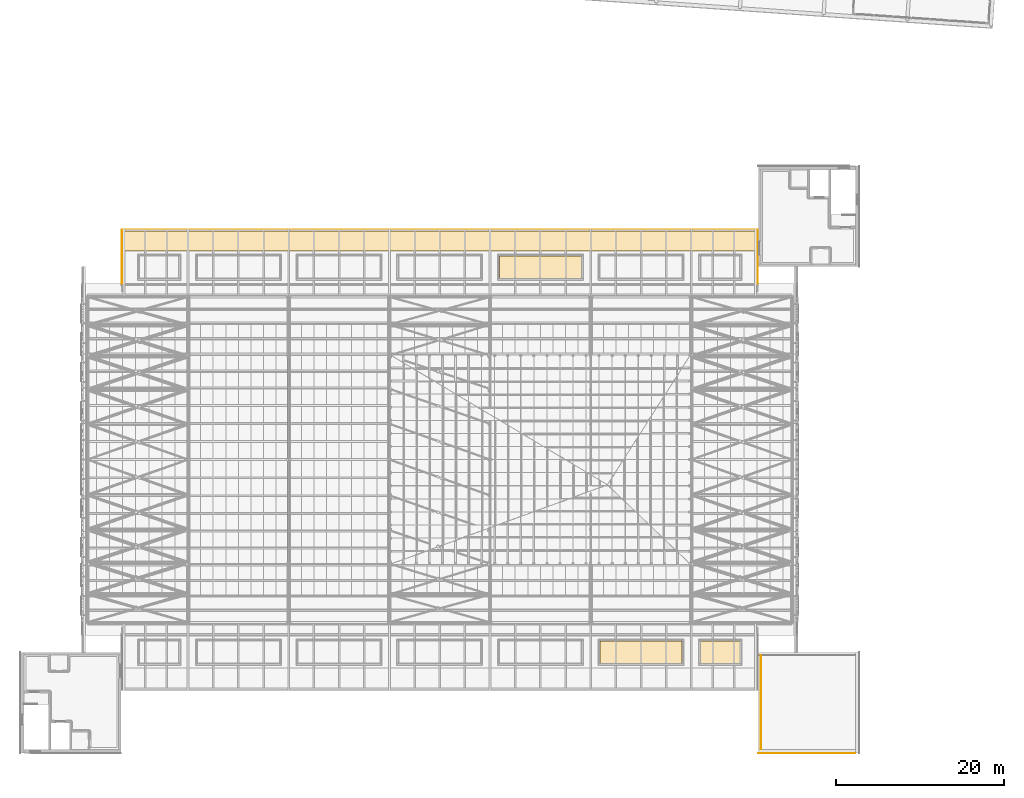
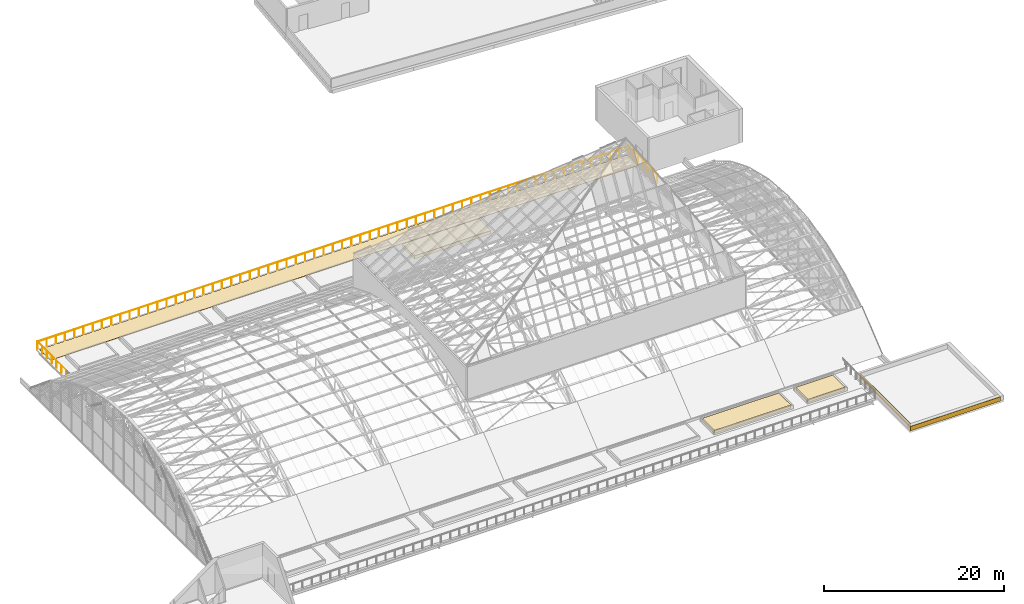
# One storey, part 106 of 110: 6 coverings, 1 railing.
"""IFC4 building model written with IfcOpenShell, lengths in metres."""

from ifc_helpers import new_model, si_unit, direction, frame, origin, origin_2d, place, context, subcontext, project, spatial, polyline, circle, outline, extrude, material, layer, layer_set, type_object, element, save


model = new_model("IFC4")

# Units and contexts
model_context = context("Model", 3, precision=1e-05, world=origin(), true_north=direction((0.0, 1.0)))
body_context = subcontext(model_context, "Body", "Model", "MODEL_VIEW")
ifc_project = project(units=[si_unit("LENGTHUNIT", "METRE"), si_unit("AREAUNIT", "SQUARE_METRE"), si_unit("VOLUMEUNIT", "CUBIC_METRE"), si_unit("PLANEANGLEUNIT", "RADIAN"), si_unit("MASSUNIT", "GRAM", prefix="KILO")], contexts=[model_context])

# Site, building, storey
site_placement = place(None, origin())
site = spatial("IfcSite", under=ifc_project, at=site_placement, CompositionType="ELEMENT")
building_placement = place(site_placement, origin())
building = spatial("IfcBuilding", under=site, at=building_placement, Name="Windward Yard Aquatics Centre", CompositionType="ELEMENT")
storey_placement = place(building_placement, frame((0.0, 0.0, 22.60009765625)))
storey = spatial("IfcBuildingStorey", under=building, at=storey_placement, Name="L05", CompositionType="ELEMENT", Elevation=22.60009765625)

# Coverings
ifc_material_1 = material(Name="Natural limestone cladding", Category="masonry")
ifc_layer_1 = layer(ifc_material_1, 0.0400390625)
ifc_layer_set_1 = layer_set([ifc_layer_1], Name="H natural stone cladding 40")
covering_type_1 = type_object("IfcCoveringType", Name="H natural stone cladding 40", PredefinedType="CLADDING", material=ifc_layer_set_1)
covering_1_placement = place(storey_placement, frame((0.0, 0.0, 0.25)))
element("IfcCovering", 1, at=covering_1_placement, inside=storey, type_object=covering_type_1, Name="Stone cladding panel 10", PredefinedType="CLADDING", context=body_context, shape_type="SweptSolid", body=[
    extrude(outline(polyline([(140.0, 25.9599609375), (151.550048828125, 25.9599609375), (151.550048828125, 26.0), (140.0, 26.0), (140.0, 25.9599609375)])), origin(), (0.0, 0.0, 1.0), 0.599853515625),
])
covering_2_placement = place(storey_placement, frame((0.0, 0.0, 0.25)))
element("IfcCovering", 2, at=covering_2_placement, inside=storey, type_object=covering_type_1, Name="Stone cladding panel 11", PredefinedType="CLADDING", context=body_context, shape_type="SweptSolid", body=[
    extrude(outline(polyline([(140.300048828125, 26.449951171875), (140.300048828125, 37.699951171875), (140.340087890625, 37.699951171875), (140.340087890625, 26.449951171875), (140.300048828125, 26.449951171875)])), origin(), (0.0, 0.0, 1.0), 0.599853515625),
])
ifc_material_2 = material(Name="Planting soil")
ifc_layer_2 = layer(ifc_material_2, 0.398, Name="Planting")
ifc_material_3 = material(Name="Filter fabric")
ifc_layer_3 = layer(ifc_material_3, 0.002, Name="Filter")
ifc_material_4 = material(Name="Drainage board")
ifc_layer_4 = layer(ifc_material_4, 0.05, Name="Drainage")
ifc_layer_set_2 = layer_set([ifc_layer_2, ifc_layer_3, ifc_layer_4], Name="H planting bed 450")
covering_type_2 = type_object("IfcCoveringType", Name="H planting bed 450", PredefinedType="USERDEFINED", material=ifc_layer_set_2)
covering_3_placement = place(storey_placement, origin())
element("IfcCovering", 3, at=covering_3_placement, inside=storey, type_object=covering_type_2, Name="Planting bed T2 S6", ObjectType="PLANTING BED", PredefinedType="USERDEFINED", context=body_context, shape_type="SweptSolid", body=[
    extrude(outline(polyline([(121.10009765625, 36.699951171875), (130.89990234375, 36.699951171875), (130.89990234375, 39.39990234375), (121.10009765625, 39.39990234375), (121.10009765625, 36.699951171875)])), origin(), (0.0, 0.0, 1.0), 0.449951171875),
])
covering_4_placement = place(storey_placement, origin())
element("IfcCovering", 4, at=covering_4_placement, inside=storey, type_object=covering_type_2, Name="Planting bed T2 S7", ObjectType="PLANTING BED", PredefinedType="USERDEFINED", context=body_context, shape_type="SweptSolid", body=[
    extrude(outline(polyline([(133.10009765625, 36.699951171875), (137.800048828125, 36.699951171875), (137.800048828125, 39.39990234375), (133.10009765625, 39.39990234375), (133.10009765625, 36.699951171875)])), origin(), (0.0, 0.0, 1.0), 0.449951171875),
])
covering_5_placement = place(storey_placement, origin())
element("IfcCovering", 5, at=covering_5_placement, inside=storey, type_object=covering_type_2, Name="Planting bed T2 N5", ObjectType="PLANTING BED", PredefinedType="USERDEFINED", context=body_context, shape_type="SweptSolid", body=[
    extrude(outline(polyline([(109.10009765625, 82.60009765625), (118.89990234375, 82.60009765625), (118.89990234375, 85.300048828125), (109.10009765625, 85.300048828125), (109.10009765625, 82.60009765625)])), origin(), (0.0, 0.0, 1.0), 0.449951171875),
])

# Railing
ifc_material_5 = material(Name="Stainless steel 1.4401 with toughened laminated glass infill", Category="steel")
railing_type = type_object("IfcRailingType", Name="H terrace guard 1100", PredefinedType="GUARDRAIL", material=ifc_material_5)
railing_placement = place(storey_placement, frame((64.10009765625, 82.013427734375, 0.0)))
element("IfcRailing", 6, at=railing_placement, inside=storey, type_object=railing_type, Name="Terrace 2 guard N", PredefinedType="GUARDRAIL", context=body_context, shape_type="SweptSolid", body=[
    extrude(circle(Radius=0.02392578125, at=origin_2d()), frame((0.0, 0.0, 1.076171875), z_axis=(0.0, 1.0, 0.0), x_axis=(-1.0, 0.0, 0.0)), (0.0, 0.0, 1.0), 6.386474609375),
    extrude(circle(Radius=0.02392578125, at=origin_2d()), frame((0.0, 6.386474609375, 1.076171875), z_axis=(1.0, 0.0, 0.0), x_axis=(0.0, 1.0, 0.0)), (0.0, 0.0, 1.0), 75.7998046875),
    extrude(circle(Radius=0.02392578125, at=origin_2d()), frame((75.7998046875, 6.386474609375, 1.076171875), z_axis=(0.0, -1.0, 0.0), x_axis=(1.0, 0.0, 0.0)), (0.0, 0.0, 1.0), 6.386474609375),
    extrude(circle(Radius=0.02099609375, at=origin_2d()), origin(), (0.0, 0.0, 1.0), 1.052001953125),
    extrude(circle(Radius=0.02099609375, at=origin_2d()), frame((0.0, 1.064453125, 0.0)), (0.0, 0.0, 1.0), 1.052001953125),
    extrude(circle(Radius=0.02099609375, at=origin_2d()), frame((0.0, 2.12890625, 0.0)), (0.0, 0.0, 1.0), 1.052001953125),
    extrude(circle(Radius=0.02099609375, at=origin_2d()), frame((0.0, 3.193359375, 0.0)), (0.0, 0.0, 1.0), 1.052001953125),
    extrude(circle(Radius=0.02099609375, at=origin_2d()), frame((0.0, 4.257568359375, 0.0)), (0.0, 0.0, 1.0), 1.052001953125),
    extrude(circle(Radius=0.02099609375, at=origin_2d()), frame((0.0, 5.322021484375, 0.0)), (0.0, 0.0, 1.0), 1.052001953125),
    extrude(circle(Radius=0.02099609375, at=origin_2d()), frame((0.0, 6.386474609375, 0.0)), (0.0, 0.0, 1.0), 1.052001953125),
    extrude(circle(Radius=0.02099609375, at=origin_2d()), frame((1.184326171875, 6.386474609375, 0.0)), (0.0, 0.0, 1.0), 1.052001953125),
    extrude(circle(Radius=0.02099609375, at=origin_2d()), frame((2.36865234375, 6.386474609375, 0.0)), (0.0, 0.0, 1.0), 1.052001953125),
    extrude(circle(Radius=0.02099609375, at=origin_2d()), frame((3.55322265625, 6.386474609375, 0.0)), (0.0, 0.0, 1.0), 1.052001953125),
    extrude(circle(Radius=0.02099609375, at=origin_2d()), frame((4.737548828125, 6.386474609375, 0.0)), (0.0, 0.0, 1.0), 1.052001953125),
    extrude(circle(Radius=0.02099609375, at=origin_2d()), frame((5.921875, 6.386474609375, 0.0)), (0.0, 0.0, 1.0), 1.052001953125),
    extrude(circle(Radius=0.02099609375, at=origin_2d()), frame((7.106201171875, 6.386474609375, 0.0)), (0.0, 0.0, 1.0), 1.052001953125),
    extrude(circle(Radius=0.02099609375, at=origin_2d()), frame((8.29052734375, 6.386474609375, 0.0)), (0.0, 0.0, 1.0), 1.052001953125),
    extrude(circle(Radius=0.02099609375, at=origin_2d()), frame((9.47509765625, 6.386474609375, 0.0)), (0.0, 0.0, 1.0), 1.052001953125),
    extrude(circle(Radius=0.02099609375, at=origin_2d()), frame((10.659423828125, 6.386474609375, 0.0)), (0.0, 0.0, 1.0), 1.052001953125),
    extrude(circle(Radius=0.02099609375, at=origin_2d()), frame((11.84375, 6.386474609375, 0.0)), (0.0, 0.0, 1.0), 1.052001953125),
    extrude(circle(Radius=0.02099609375, at=origin_2d()), frame((13.028076171875, 6.386474609375, 0.0)), (0.0, 0.0, 1.0), 1.052001953125),
    extrude(circle(Radius=0.02099609375, at=origin_2d()), frame((14.21240234375, 6.386474609375, 0.0)), (0.0, 0.0, 1.0), 1.052001953125),
    extrude(circle(Radius=0.02099609375, at=origin_2d()), frame((15.396728515625, 6.386474609375, 0.0)), (0.0, 0.0, 1.0), 1.052001953125),
    extrude(circle(Radius=0.02099609375, at=origin_2d()), frame((16.581298828125, 6.386474609375, 0.0)), (0.0, 0.0, 1.0), 1.052001953125),
    extrude(circle(Radius=0.02099609375, at=origin_2d()), frame((17.765625, 6.386474609375, 0.0)), (0.0, 0.0, 1.0), 1.052001953125),
    extrude(circle(Radius=0.02099609375, at=origin_2d()), frame((18.949951171875, 6.386474609375, 0.0)), (0.0, 0.0, 1.0), 1.052001953125),
    extrude(circle(Radius=0.02099609375, at=origin_2d()), frame((20.13427734375, 6.386474609375, 0.0)), (0.0, 0.0, 1.0), 1.052001953125),
    extrude(circle(Radius=0.02099609375, at=origin_2d()), frame((21.318603515625, 6.386474609375, 0.0)), (0.0, 0.0, 1.0), 1.052001953125),
    extrude(circle(Radius=0.02099609375, at=origin_2d()), frame((22.503173828125, 6.386474609375, 0.0)), (0.0, 0.0, 1.0), 1.052001953125),
    extrude(circle(Radius=0.02099609375, at=origin_2d()), frame((23.6875, 6.386474609375, 0.0)), (0.0, 0.0, 1.0), 1.052001953125),
    extrude(circle(Radius=0.02099609375, at=origin_2d()), frame((24.871826171875, 6.386474609375, 0.0)), (0.0, 0.0, 1.0), 1.052001953125),
    extrude(circle(Radius=0.02099609375, at=origin_2d()), frame((26.05615234375, 6.386474609375, 0.0)), (0.0, 0.0, 1.0), 1.052001953125),
    extrude(circle(Radius=0.02099609375, at=origin_2d()), frame((27.240478515625, 6.386474609375, 0.0)), (0.0, 0.0, 1.0), 1.052001953125),
    extrude(circle(Radius=0.02099609375, at=origin_2d()), frame((28.4248046875, 6.386474609375, 0.0)), (0.0, 0.0, 1.0), 1.052001953125),
    extrude(circle(Radius=0.02099609375, at=origin_2d()), frame((29.609375, 6.386474609375, 0.0)), (0.0, 0.0, 1.0), 1.052001953125),
    extrude(circle(Radius=0.02099609375, at=origin_2d()), frame((30.793701171875, 6.386474609375, 0.0)), (0.0, 0.0, 1.0), 1.052001953125),
    extrude(circle(Radius=0.02099609375, at=origin_2d()), frame((31.97802734375, 6.386474609375, 0.0)), (0.0, 0.0, 1.0), 1.052001953125),
    extrude(circle(Radius=0.02099609375, at=origin_2d()), frame((33.162353515625, 6.386474609375, 0.0)), (0.0, 0.0, 1.0), 1.052001953125),
    extrude(circle(Radius=0.02099609375, at=origin_2d()), frame((34.3466796875, 6.386474609375, 0.0)), (0.0, 0.0, 1.0), 1.052001953125),
    extrude(circle(Radius=0.02099609375, at=origin_2d()), frame((35.53125, 6.386474609375, 0.0)), (0.0, 0.0, 1.0), 1.052001953125),
    extrude(circle(Radius=0.02099609375, at=origin_2d()), frame((36.715576171875, 6.386474609375, 0.0)), (0.0, 0.0, 1.0), 1.052001953125),
    extrude(circle(Radius=0.02099609375, at=origin_2d()), frame((37.89990234375, 6.386474609375, 0.0)), (0.0, 0.0, 1.0), 1.052001953125),
    extrude(circle(Radius=0.02099609375, at=origin_2d()), frame((39.084228515625, 6.386474609375, 0.0)), (0.0, 0.0, 1.0), 1.052001953125),
    extrude(circle(Radius=0.02099609375, at=origin_2d()), frame((40.2685546875, 6.386474609375, 0.0)), (0.0, 0.0, 1.0), 1.052001953125),
    extrude(circle(Radius=0.02099609375, at=origin_2d()), frame((41.453125, 6.386474609375, 0.0)), (0.0, 0.0, 1.0), 1.052001953125),
    extrude(circle(Radius=0.02099609375, at=origin_2d()), frame((42.637451171875, 6.386474609375, 0.0)), (0.0, 0.0, 1.0), 1.052001953125),
    extrude(circle(Radius=0.02099609375, at=origin_2d()), frame((43.82177734375, 6.386474609375, 0.0)), (0.0, 0.0, 1.0), 1.052001953125),
    extrude(circle(Radius=0.02099609375, at=origin_2d()), frame((45.006103515625, 6.386474609375, 0.0)), (0.0, 0.0, 1.0), 1.052001953125),
    extrude(circle(Radius=0.02099609375, at=origin_2d()), frame((46.1904296875, 6.386474609375, 0.0)), (0.0, 0.0, 1.0), 1.052001953125),
    extrude(circle(Radius=0.02099609375, at=origin_2d()), frame((47.375, 6.386474609375, 0.0)), (0.0, 0.0, 1.0), 1.052001953125),
    extrude(circle(Radius=0.02099609375, at=origin_2d()), frame((48.559326171875, 6.386474609375, 0.0)), (0.0, 0.0, 1.0), 1.052001953125),
    extrude(circle(Radius=0.02099609375, at=origin_2d()), frame((49.74365234375, 6.386474609375, 0.0)), (0.0, 0.0, 1.0), 1.052001953125),
    extrude(circle(Radius=0.02099609375, at=origin_2d()), frame((50.927978515625, 6.386474609375, 0.0)), (0.0, 0.0, 1.0), 1.052001953125),
    extrude(circle(Radius=0.02099609375, at=origin_2d()), frame((52.1123046875, 6.386474609375, 0.0)), (0.0, 0.0, 1.0), 1.052001953125),
    extrude(circle(Radius=0.02099609375, at=origin_2d()), frame((53.296630859375, 6.386474609375, 0.0)), (0.0, 0.0, 1.0), 1.052001953125),
    extrude(circle(Radius=0.02099609375, at=origin_2d()), frame((54.481201171875, 6.386474609375, 0.0)), (0.0, 0.0, 1.0), 1.052001953125),
    extrude(circle(Radius=0.02099609375, at=origin_2d()), frame((55.66552734375, 6.386474609375, 0.0)), (0.0, 0.0, 1.0), 1.052001953125),
    extrude(circle(Radius=0.02099609375, at=origin_2d()), frame((56.849853515625, 6.386474609375, 0.0)), (0.0, 0.0, 1.0), 1.052001953125),
    extrude(circle(Radius=0.02099609375, at=origin_2d()), frame((58.0341796875, 6.386474609375, 0.0)), (0.0, 0.0, 1.0), 1.052001953125),
    extrude(circle(Radius=0.02099609375, at=origin_2d()), frame((59.218505859375, 6.386474609375, 0.0)), (0.0, 0.0, 1.0), 1.052001953125),
    extrude(circle(Radius=0.02099609375, at=origin_2d()), frame((60.403076171875, 6.386474609375, 0.0)), (0.0, 0.0, 1.0), 1.052001953125),
    extrude(circle(Radius=0.02099609375, at=origin_2d()), frame((61.58740234375, 6.386474609375, 0.0)), (0.0, 0.0, 1.0), 1.052001953125),
    extrude(circle(Radius=0.02099609375, at=origin_2d()), frame((62.771728515625, 6.386474609375, 0.0)), (0.0, 0.0, 1.0), 1.052001953125),
    extrude(circle(Radius=0.02099609375, at=origin_2d()), frame((63.9560546875, 6.386474609375, 0.0)), (0.0, 0.0, 1.0), 1.052001953125),
    extrude(circle(Radius=0.02099609375, at=origin_2d()), frame((65.140380859375, 6.386474609375, 0.0)), (0.0, 0.0, 1.0), 1.052001953125),
    extrude(circle(Radius=0.02099609375, at=origin_2d()), frame((66.32470703125, 6.386474609375, 0.0)), (0.0, 0.0, 1.0), 1.052001953125),
    extrude(circle(Radius=0.02099609375, at=origin_2d()), frame((67.50927734375, 6.386474609375, 0.0)), (0.0, 0.0, 1.0), 1.052001953125),
    extrude(circle(Radius=0.02099609375, at=origin_2d()), frame((68.693603515625, 6.386474609375, 0.0)), (0.0, 0.0, 1.0), 1.052001953125),
    extrude(circle(Radius=0.02099609375, at=origin_2d()), frame((69.8779296875, 6.386474609375, 0.0)), (0.0, 0.0, 1.0), 1.052001953125),
    extrude(circle(Radius=0.02099609375, at=origin_2d()), frame((71.062255859375, 6.386474609375, 0.0)), (0.0, 0.0, 1.0), 1.052001953125),
    extrude(circle(Radius=0.02099609375, at=origin_2d()), frame((72.24658203125, 6.386474609375, 0.0)), (0.0, 0.0, 1.0), 1.052001953125),
    extrude(circle(Radius=0.02099609375, at=origin_2d()), frame((73.43115234375, 6.386474609375, 0.0)), (0.0, 0.0, 1.0), 1.052001953125),
    extrude(circle(Radius=0.02099609375, at=origin_2d()), frame((74.615478515625, 6.386474609375, 0.0)), (0.0, 0.0, 1.0), 1.052001953125),
    extrude(circle(Radius=0.02099609375, at=origin_2d()), frame((75.7998046875, 6.386474609375, 0.0)), (0.0, 0.0, 1.0), 1.052001953125),
    extrude(circle(Radius=0.02099609375, at=origin_2d()), frame((75.7998046875, 5.322021484375, 0.0)), (0.0, 0.0, 1.0), 1.052001953125),
    extrude(circle(Radius=0.02099609375, at=origin_2d()), frame((75.7998046875, 4.257568359375, 0.0)), (0.0, 0.0, 1.0), 1.052001953125),
    extrude(circle(Radius=0.02099609375, at=origin_2d()), frame((75.7998046875, 3.193359375, 0.0)), (0.0, 0.0, 1.0), 1.052001953125),
    extrude(circle(Radius=0.02099609375, at=origin_2d()), frame((75.7998046875, 2.12890625, 0.0)), (0.0, 0.0, 1.0), 1.052001953125),
    extrude(circle(Radius=0.02099609375, at=origin_2d()), frame((75.7998046875, 1.064453125, 0.0)), (0.0, 0.0, 1.0), 1.052001953125),
    extrude(circle(Radius=0.02099609375, at=origin_2d()), frame((75.7998046875, 0.0, 0.0)), (0.0, 0.0, 1.0), 1.052001953125),
])

# Covering
ifc_material_6 = material(Name="Porcelain paving")
ifc_layer_5 = layer(ifc_material_6, 0.02, Name="Paving")
ifc_material_7 = material(Name="Adjustable pedestal support")
ifc_layer_6 = layer(ifc_material_7, 0.02, Name="Pedestal support")
ifc_layer_set_3 = layer_set([ifc_layer_5, ifc_layer_6], Name="H terrace paving porcelain 40")
covering_type_3 = type_object("IfcCoveringType", Name="H terrace paving porcelain 40", PredefinedType="FLOORING", material=ifc_layer_set_3)
covering_6_placement = place(storey_placement, origin())
element("IfcCovering", 7, at=covering_6_placement, inside=storey, type_object=covering_type_3, Name="Terrace 2 walkway N", PredefinedType="FLOORING", context=body_context, shape_type="SweptSolid", body=[
    extrude(outline(polyline([(64.300048828125, 85.85009765625), (139.699951171875, 85.85009765625), (139.699951171875, 88.25), (64.300048828125, 88.25), (64.300048828125, 85.85009765625)])), origin(), (0.0, 0.0, 1.0), 0.039794921875),
])

save(model, "model.ifc")
